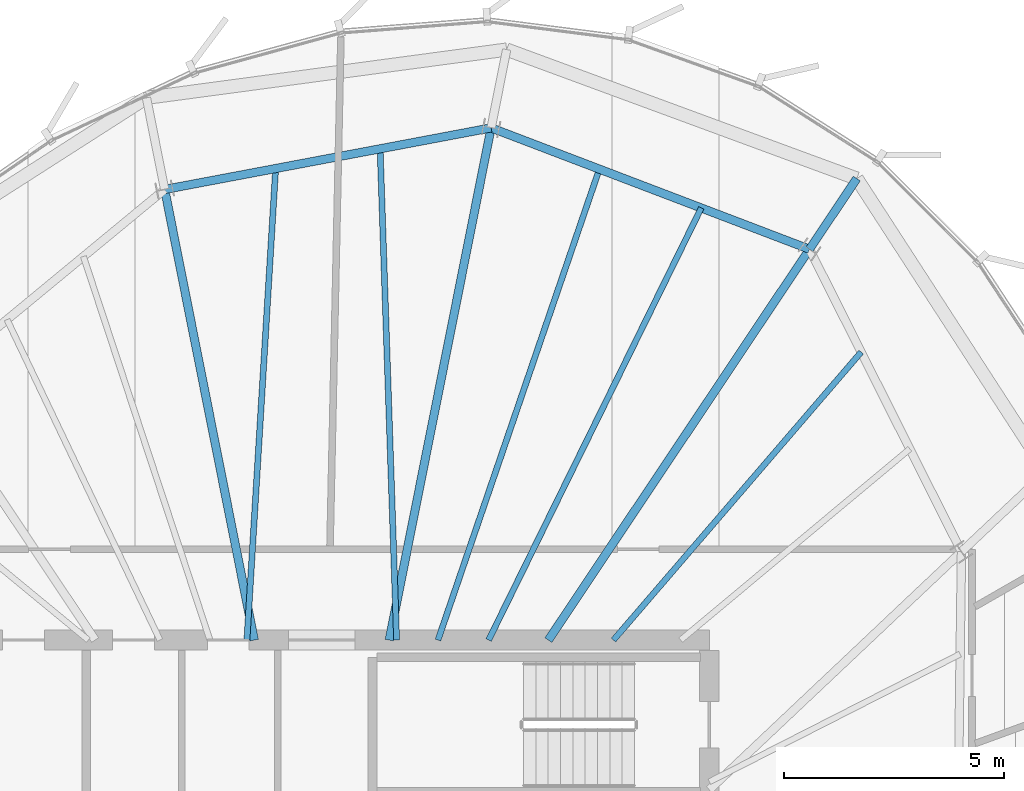
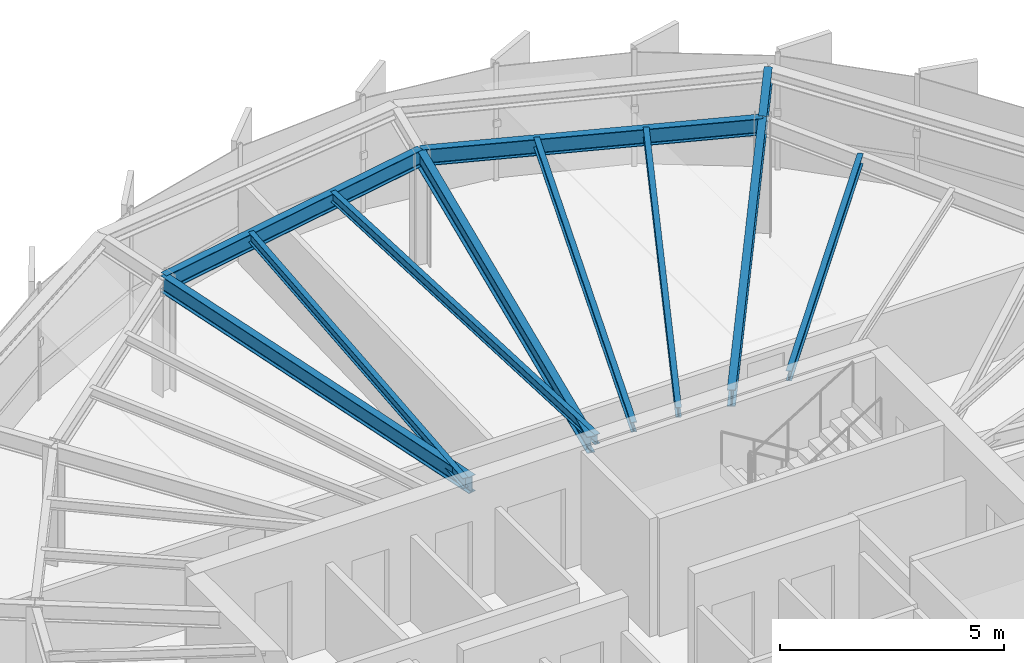
# One storey, part 20 of 31: 11 beams.
"""IFC4 building model written with IfcOpenShell, lengths in metres."""

from ifc_helpers import new_model, si_unit, direction, frame, origin, origin_2d, place, context, subcontext, project, spatial, i_section, extrude, source, transform, mapped, material, material_profile, profile_set, type_object, element, save


model = new_model("IFC4")

# Units and contexts
model_context = context("Model", 3, precision=1e-05, world=origin(), true_north=direction((0.0, 1.0)))
body_context = subcontext(model_context, "Body", "Model", "MODEL_VIEW")
ifc_project = project(units=[si_unit("LENGTHUNIT", "METRE"), si_unit("AREAUNIT", "SQUARE_METRE"), si_unit("VOLUMEUNIT", "CUBIC_METRE"), si_unit("PLANEANGLEUNIT", "RADIAN"), si_unit("MASSUNIT", "GRAM", prefix="KILO"), si_unit("THERMODYNAMICTEMPERATUREUNIT", "KELVIN")], contexts=[model_context])

# Site, building, storey
site_placement = place(None, origin())
site = spatial("IfcSite", under=ifc_project, at=site_placement, CompositionType="ELEMENT")
building_placement = place(site_placement, origin())
building = spatial("IfcBuilding", under=site, at=building_placement, Name="Kethvar Cultural Tower", CompositionType="ELEMENT")
storey_placement = place(building_placement, frame((0.0, 0.0, 290.5)))
storey = spatial("IfcBuildingStorey", under=building, at=storey_placement, Name="L77", CompositionType="ELEMENT", Elevation=290.5)

# Beams
ifc_material = material(Name="Steel S355J2", Category="steel")
ifc_material_profile_1 = material_profile(ifc_material, i_section(OverallWidth=0.18994140625, OverallDepth=0.449951171875, WebThickness=0.009521484375, FlangeThickness=0.0146484375, FilletRadius=0.02099609375, at=origin_2d()), Name="Steel S355J2 — IPE450")
ifc_profile_set_1 = profile_set([ifc_material_profile_1], Name="Steel S355J2 — IPE450")
beam_type_1 = type_object("IfcBeamType", Name="BM-IPE450", PredefinedType="BEAM", material=ifc_profile_set_1)
shared_shape_1 = source(origin(), body_context, "Body", "SweptSolid", [
    extrude(i_section(OverallWidth=0.18994140625, OverallDepth=0.449951171875, WebThickness=0.009521484375, FlangeThickness=0.0146484375, FilletRadius=0.02099609375, at=origin_2d()), origin(), (0.0, 0.0, 1.0), 10.673828125),
])
beam_1_placement = place(storey_placement, frame((51.945068359375, 35.5, 2.98291015625), z_axis=(0.555576086183, 0.831465701314, 0.0), x_axis=(-0.831465701314, 0.555576086183, 0.0)))
element("IfcBeam", 1, at=beam_1_placement, inside=storey, type_object=beam_type_1, Name="L77 Primary Radial Beam RB-03", PredefinedType="BEAM", context=body_context, shape_type="MappedRepresentation", body=[
    mapped(shared_shape_1, transform((0.0, 0.0, 0.0), scale=1.0)),
])
shared_shape_2 = source(origin(), body_context, "Body", "SweptSolid", [
    extrude(i_section(OverallWidth=0.18994140625, OverallDepth=0.449951171875, WebThickness=0.009521484375, FlangeThickness=0.0146484375, FilletRadius=0.02099609375, at=origin_2d()), origin(), (0.0, 0.0, 1.0), 11.859375),
])
beam_2_placement = place(storey_placement, frame((48.33154296875, 35.5, 2.98291015625), z_axis=(0.195094640585, 0.980784421377, 0.0), x_axis=(-0.980784421377, 0.195094640585, 0.0)))
element("IfcBeam", 2, at=beam_2_placement, inside=storey, type_object=beam_type_1, Name="L77 Primary Radial Beam RB-04", PredefinedType="BEAM", context=body_context, shape_type="MappedRepresentation", body=[
    mapped(shared_shape_2, transform((0.0, 0.0, 0.0), scale=1.0)),
])
shared_shape_3 = source(origin(), body_context, "Body", "SweptSolid", [
    extrude(i_section(OverallWidth=0.18994140625, OverallDepth=0.449951171875, WebThickness=0.009521484375, FlangeThickness=0.0146484375, FilletRadius=0.02099609375, at=origin_2d()), origin(), (0.0, 0.0, 1.0), 10.432861328125),
])
beam_3_placement = place(storey_placement, frame((45.268310546875, 35.5, 2.98291015625), z_axis=(-0.195094483249, 0.980784452673, 0.0), x_axis=(-0.980784452673, -0.195094483249, 0.0)))
element("IfcBeam", 3, at=beam_3_placement, inside=storey, type_object=beam_type_1, Name="L77 Primary Radial Beam RB-05", PredefinedType="BEAM", context=body_context, shape_type="MappedRepresentation", body=[
    mapped(shared_shape_3, transform((0.0, 0.0, 0.0), scale=1.0)),
])
ifc_material_profile_2 = material_profile(ifc_material, i_section(OverallWidth=0.135009765625, OverallDepth=0.27001953125, WebThickness=0.006591796875, FlangeThickness=0.01025390625, FilletRadius=0.014892578125, at=origin_2d()), Name="Steel S355J2 — IPE270")
ifc_profile_set_2 = profile_set([ifc_material_profile_2], Name="Steel S355J2 — IPE270")
beam_type_2 = type_object("IfcBeamType", Name="BM-J270", PredefinedType="JOIST", material=ifc_profile_set_2)
shared_shape_4 = source(origin(), body_context, "Body", "SweptSolid", [
    extrude(i_section(OverallWidth=0.135009765625, OverallDepth=0.27001953125, WebThickness=0.006591796875, FlangeThickness=0.01025390625, FilletRadius=0.014892578125, at=origin_2d()), origin(), (0.0, 0.0, 1.0), 8.6259765625),
])
beam_4_placement = place(storey_placement, frame((53.42333984375, 35.5, 3.072998046875), z_axis=(0.65210499689, 0.758128665222, 0.0), x_axis=(-0.758128665222, 0.65210499689, 0.0)))
element("IfcBeam", 4, at=beam_4_placement, inside=storey, type_object=beam_type_2, Name="L77 Composite Floor Joist J-02B", PredefinedType="JOIST", context=body_context, shape_type="MappedRepresentation", body=[
    mapped(shared_shape_4, transform((0.0, 0.0, 0.0), scale=1.0)),
])
shared_shape_5 = source(origin(), body_context, "Body", "SweptSolid", [
    extrude(i_section(OverallWidth=0.18994140625, OverallDepth=0.449951171875, WebThickness=0.009521484375, FlangeThickness=0.0146484375, FilletRadius=0.02099609375, at=origin_2d()), origin(), (0.0, 0.0, 1.0), 7.737548828125),
])
beam_5_placement = place(storey_placement, frame((57.875244140625, 44.375, 2.98291015625), z_axis=(-0.934388230776, 0.356256416347, 0.0), x_axis=(-0.356256416347, -0.934388230776, 0.0)))
element("IfcBeam", 5, at=beam_5_placement, inside=storey, type_object=beam_type_1, Name="L77 Column Ring Tie Beam CR-03", PredefinedType="BEAM", context=body_context, shape_type="MappedRepresentation", body=[
    mapped(shared_shape_5, transform((0.0, 0.0, 0.0), scale=1.0)),
])
shared_shape_6 = source(origin(), body_context, "Body", "SweptSolid", [
    extrude(i_section(OverallWidth=0.135009765625, OverallDepth=0.27001953125, WebThickness=0.006591796875, FlangeThickness=0.01025390625, FilletRadius=0.014892578125, at=origin_2d()), origin(), (0.0, 0.0, 1.0), 10.935791015625),
])
beam_6_placement = place(storey_placement, frame((50.5888671875, 35.5, 3.072998046875), z_axis=(0.441498236677, 0.897262117227, 0.0), x_axis=(-0.897262117227, 0.441498236677, 0.0)))
element("IfcBeam", 6, at=beam_6_placement, inside=storey, type_object=beam_type_2, Name="L77 Composite Floor Joist J-03A", PredefinedType="JOIST", context=body_context, shape_type="MappedRepresentation", body=[
    mapped(shared_shape_6, transform((0.0, 0.0, 0.0), scale=1.0)),
])
shared_shape_7 = source(origin(), body_context, "Body", "SweptSolid", [
    extrude(i_section(OverallWidth=0.135009765625, OverallDepth=0.27001953125, WebThickness=0.006591796875, FlangeThickness=0.01025390625, FilletRadius=0.014892578125, at=origin_2d()), origin(), (0.0, 0.0, 1.0), 11.304931640625),
])
beam_7_placement = place(storey_placement, frame((49.438720703125, 35.5, 3.072998046875), z_axis=(0.324179110764, 0.945995720997, 0.0), x_axis=(-0.945995720997, 0.324179110764, 0.0)))
element("IfcBeam", 7, at=beam_7_placement, inside=storey, type_object=beam_type_2, Name="L77 Composite Floor Joist J-03B", PredefinedType="JOIST", context=body_context, shape_type="MappedRepresentation", body=[
    mapped(shared_shape_7, transform((0.0, 0.0, 0.0), scale=1.0)),
])
shared_shape_8 = source(origin(), body_context, "Body", "SweptSolid", [
    extrude(i_section(OverallWidth=0.18994140625, OverallDepth=0.449951171875, WebThickness=0.009521484375, FlangeThickness=0.0146484375, FilletRadius=0.02099609375, at=origin_2d()), origin(), (0.0, 0.0, 1.0), 7.543212890625),
])
beam_8_placement = place(storey_placement, frame((50.645263671875, 47.131591796875, 2.98291015625), z_axis=(-0.982646853086, -0.185486285532, 0.0), x_axis=(0.185486285532, -0.982646853086, 0.0)))
element("IfcBeam", 8, at=beam_8_placement, inside=storey, type_object=beam_type_1, Name="L77 Column Ring Tie Beam CR-04", PredefinedType="BEAM", context=body_context, shape_type="MappedRepresentation", body=[
    mapped(shared_shape_8, transform((0.0, 0.0, 0.0), scale=1.0)),
])
shared_shape_9 = source(origin(), body_context, "Body", "SweptSolid", [
    extrude(i_section(OverallWidth=0.135009765625, OverallDepth=0.27001953125, WebThickness=0.006591796875, FlangeThickness=0.01025390625, FilletRadius=0.014892578125, at=origin_2d()), origin(), (0.0, 0.0, 1.0), 11.162109375),
])
beam_9_placement = place(storey_placement, frame((48.5, 35.5, 3.072998046875), z_axis=(-0.0335959409, 0.999435497046, 0.0), x_axis=(-0.999435497046, -0.0335959409, 0.0)))
element("IfcBeam", 9, at=beam_9_placement, inside=storey, type_object=beam_type_2, Name="L77 Composite Floor Joist J-04A", PredefinedType="JOIST", context=body_context, shape_type="MappedRepresentation", body=[
    mapped(shared_shape_9, transform((0.0, 0.0, 0.0), scale=1.0)),
])
shared_shape_10 = source(origin(), body_context, "Body", "SweptSolid", [
    extrude(i_section(OverallWidth=0.135009765625, OverallDepth=0.27001953125, WebThickness=0.006591796875, FlangeThickness=0.01025390625, FilletRadius=0.014892578125, at=origin_2d()), origin(), (0.0, 0.0, 1.0), 10.727783203125),
])
beam_10_placement = place(storey_placement, frame((45.10009765625, 35.5, 3.072998046875), z_axis=(0.060876395586, 0.998145312297, 0.0), x_axis=(-0.998145312297, 0.060876395586, 0.0)))
element("IfcBeam", 10, at=beam_10_placement, inside=storey, type_object=beam_type_2, Name="L77 Composite Floor Joist J-04B", PredefinedType="JOIST", context=body_context, shape_type="MappedRepresentation", body=[
    mapped(shared_shape_10, transform((0.0, 0.0, 0.0), scale=1.0)),
])
shared_shape_11 = source(origin(), body_context, "Body", "SweptSolid", [
    extrude(i_section(OverallWidth=0.18994140625, OverallDepth=0.449951171875, WebThickness=0.009521484375, FlangeThickness=0.0146484375, FilletRadius=0.02099609375, at=origin_2d()), origin(), (0.0, 0.0, 1.0), 1.9306640625),
])
beam_11_placement = place(storey_placement, frame((57.875244140625, 44.375, 2.98291015625), z_axis=(0.55554622986, 0.8314856502, 0.0), x_axis=(-0.8314856502, 0.55554622986, 0.0)))
element("IfcBeam", 11, at=beam_11_placement, inside=storey, type_object=beam_type_1, Name="L77 Perimeter Cantilever Beam RC-03", PredefinedType="BEAM", context=body_context, shape_type="MappedRepresentation", body=[
    mapped(shared_shape_11, transform((0.0, 0.0, 0.0), scale=1.0)),
])

save(model, "model.ifc")
